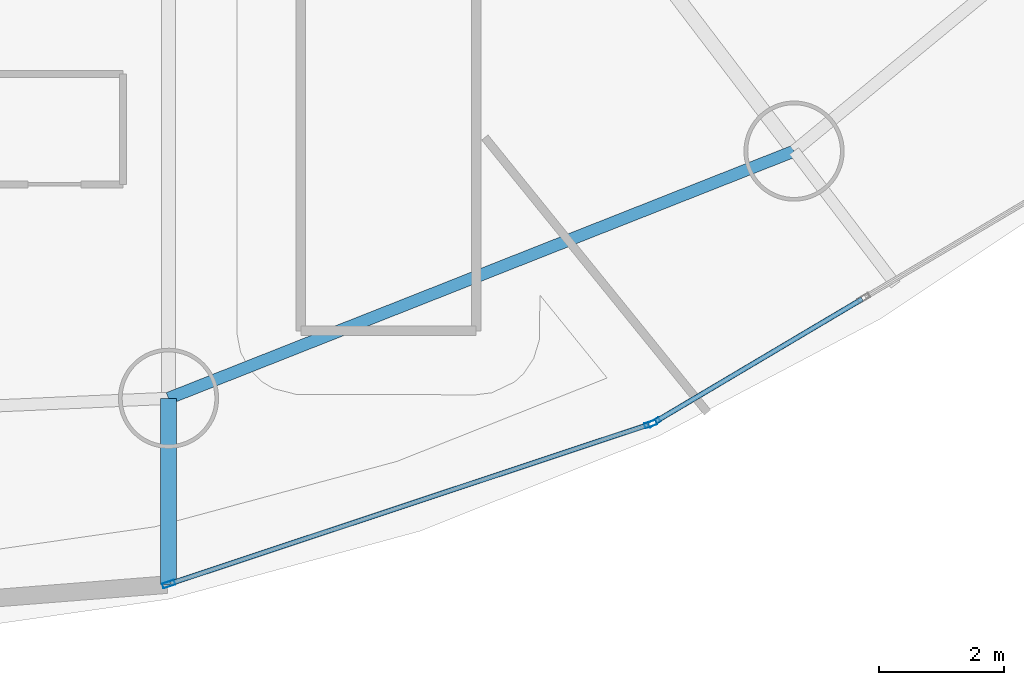
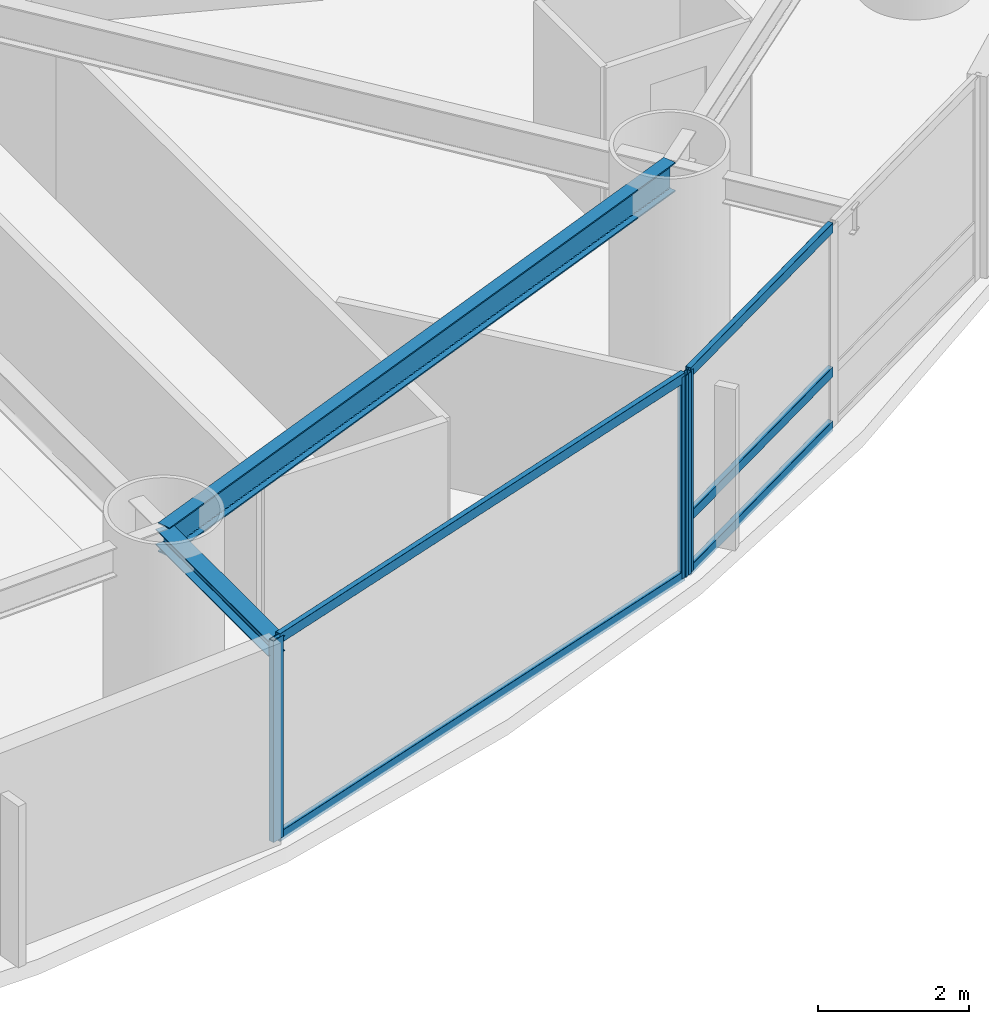
# One storey, part 6 of 25: 8 members, 2 beams, 2 elements without a shape of their own.
"""IFC4 building model written with IfcOpenShell, lengths in metres."""

from ifc_helpers import new_model, si_unit, direction, frame, origin, origin_2d, place, context, subcontext, project, spatial, hollow_rectangle, i_section, extrude, material, layer, layer_set, material_profile, profile_set, type_object, element, aggregate, save


model = new_model("IFC4")

# Units and contexts
model_context = context("Model", 3, precision=1e-05, world=origin(), true_north=direction((0.0, 1.0)))
body_context = subcontext(model_context, "Body", "Model", "MODEL_VIEW")
ifc_project = project(units=[si_unit("LENGTHUNIT", "METRE"), si_unit("AREAUNIT", "SQUARE_METRE"), si_unit("VOLUMEUNIT", "CUBIC_METRE"), si_unit("PLANEANGLEUNIT", "RADIAN"), si_unit("MASSUNIT", "GRAM", prefix="KILO")], contexts=[model_context])

# Site, building, storey
site_placement = place(None, origin())
site = spatial("IfcSite", under=ifc_project, at=site_placement, CompositionType="ELEMENT")
building_placement = place(site_placement, origin())
building = spatial("IfcBuilding", under=site, at=building_placement, Name="Bramvorn Convention Spire", CompositionType="ELEMENT")
storey_placement = place(building_placement, frame((0.0, 0.0, 48.39990234375)))
storey = spatial("IfcBuildingStorey", under=building, at=storey_placement, Name="L09", CompositionType="ELEMENT", Elevation=48.39990234375)

# Beams
ifc_material_1 = material(Name="Steel CSA G40.21 Grade 350 (350W)", Category="steel")
ifc_material_profile_1 = material_profile(ifc_material_1, i_section(OverallWidth=0.25390625, OverallDepth=0.2529296875, WebThickness=0.008544921875, FlangeThickness=0.01416015625, FilletRadius=0.011962890625, at=origin_2d()))
ifc_profile_set_1 = profile_set([ifc_material_profile_1], Name="Steel CSA G40.21 Grade 350 (350W) - W250X73")
beam_type_1 = type_object("IfcBeamType", Name="BM-W250X73", PredefinedType="BEAM", material=ifc_profile_set_1)
beam_1_placement = place(storey_placement, frame((46.23779296875, 5.42333984375, 3.108642578125), z_axis=(0.0, -1.0, 0.0), x_axis=(1.0, 0.0, 0.0)))
element("IfcBeam", 1, at=beam_1_placement, inside=storey, type_object=beam_type_1, Name="L09 slab-edge cantilever tip beam MC14", PredefinedType="BEAM", context=body_context, shape_type="SweptSolid", body=[
    extrude(i_section(OverallWidth=0.25390625, OverallDepth=0.2529296875, WebThickness=0.008544921875, FlangeThickness=0.01416015625, FilletRadius=0.011962890625, at=origin_2d()), origin(), (0.0, 0.0, 1.0), 2.97265625),
])
ifc_material_profile_2 = material_profile(ifc_material_1, i_section(OverallWidth=0.194091796875, OverallDepth=0.468994140625, WebThickness=0.0126953125, FlangeThickness=0.0205078125, FilletRadius=0.01806640625, at=origin_2d()))
ifc_profile_set_2 = profile_set([ifc_material_profile_2], Name="Steel CSA G40.21 Grade 350 (350W) - W460X106")
beam_type_2 = type_object("IfcBeamType", Name="BM-W460X106", PredefinedType="SPANDREL", material=ifc_profile_set_2)
beam_2_placement = place(storey_placement, frame((46.23779296875, 5.42333984375, 3.015625), z_axis=(0.93000950609, 0.367535465749, 0.0), x_axis=(-0.367535465749, 0.93000950609, 0.0)))
element("IfcBeam", 2, at=beam_2_placement, inside=storey, type_object=beam_type_2, Name="L09 mega-column ring beam 14", PredefinedType="SPANDREL", context=body_context, shape_type="SweptSolid", body=[
    extrude(i_section(OverallWidth=0.194091796875, OverallDepth=0.468994140625, WebThickness=0.0126953125, FlangeThickness=0.0205078125, FilletRadius=0.01806640625, at=origin_2d()), origin(), (0.0, 0.0, 1.0), 10.74169921875),
])

# Curtain wall, members
ifc_material_2 = material(Name="Anodised Bronze Unitised Curtain Wall", Category="aluminium")
ifc_layer = layer(ifc_material_2, 0.179931640625)
ifc_layer_set = layer_set([ifc_layer], Name="Anodised Bronze Unitised Curtain Wall - CW-HTL-FRIT")
curtain_wall_type = type_object("IfcCurtainWallType", Name="CW-HTL-FRIT", PredefinedType="USERDEFINED", material=ifc_layer_set)
curtain_wall_1_placement = place(storey_placement, origin())
curtain_wall_1 = element("IfcCurtainWall", 3, at=curtain_wall_1_placement, inside=storey, type_object=curtain_wall_type, Name="L09 fritted glass curtain wall 20", ObjectType="UNITISED CURTAIN WALL", PredefinedType="USERDEFINED")
ifc_material_3 = material(Name="Anodised Bronze Aluminium 6063-T6", Category="aluminium")
ifc_material_profile_3 = material_profile(ifc_material_3, hollow_rectangle(XDim=0.080078125, YDim=0.199951171875, WallThickness=0.00390625, InnerFilletRadius=0.0009765625, OuterFilletRadius=0.00390625, at=origin_2d()))
ifc_profile_set_3 = profile_set([ifc_material_profile_3], Name="Anodised Bronze Aluminium 6063-T6 - CWM80X200")
member_type_1 = type_object("IfcMemberType", Name="CW-MUL-180", PredefinedType="MULLION", material=ifc_profile_set_3)
member_1_placement = place(storey_placement, frame((53.938232421875, 5.013916015625, 0.0), z_axis=(0.0, 0.0, 1.0), x_axis=(0.315254629366, -0.949007122557, 0.0)))
member_1 = element("IfcMember", 4, at=member_1_placement, type_object=member_type_1, Name="CW2 mullion 1", PredefinedType="MULLION", context=body_context, shape_type="SweptSolid", body=[
    extrude(hollow_rectangle(XDim=0.080078125, YDim=0.199951171875, WallThickness=0.00390625, InnerFilletRadius=0.0009765625, OuterFilletRadius=0.00390625, at=origin_2d()), origin(), (0.0, 0.0, 1.0), 3.25),
])
member_2_placement = place(storey_placement, frame((46.240966796875, 2.456787109375, 0.0), z_axis=(0.0, 0.0, 1.0), x_axis=(0.315254629366, -0.949007122557, 0.0)))
member_2 = element("IfcMember", 5, at=member_2_placement, type_object=member_type_1, Name="CW2 mullion 2", PredefinedType="MULLION", context=body_context, shape_type="SweptSolid", body=[
    extrude(hollow_rectangle(XDim=0.080078125, YDim=0.199951171875, WallThickness=0.00390625, InnerFilletRadius=0.0009765625, OuterFilletRadius=0.00390625, at=origin_2d()), origin(), (0.0, 0.0, 1.0), 3.25),
])

# Curtain wall, member
curtain_wall_2_placement = place(storey_placement, origin())
curtain_wall_2 = element("IfcCurtainWall", 6, at=curtain_wall_2_placement, inside=storey, type_object=curtain_wall_type, Name="L09 fritted glass curtain wall 21", ObjectType="UNITISED CURTAIN WALL", PredefinedType="USERDEFINED")
member_3_placement = place(storey_placement, frame((53.99267578125, 5.03857421875, 0.0), z_axis=(0.0, 0.0, 1.0), x_axis=(0.510053598347, -0.860142620042, 0.0)))
member_3 = element("IfcMember", 7, at=member_3_placement, type_object=member_type_1, Name="CW2 mullion 3", PredefinedType="MULLION", context=body_context, shape_type="SweptSolid", body=[
    extrude(hollow_rectangle(XDim=0.080078125, YDim=0.199951171875, WallThickness=0.00390625, InnerFilletRadius=0.0009765625, OuterFilletRadius=0.00390625, at=origin_2d()), origin(), (0.0, 0.0, 1.0), 3.25),
])

# Member
ifc_material_profile_4 = material_profile(ifc_material_3, hollow_rectangle(XDim=0.080078125, YDim=0.159912109375, WallThickness=0.00390625, InnerFilletRadius=0.0009765625, OuterFilletRadius=0.00390625, at=origin_2d()))
ifc_profile_set_4 = profile_set([ifc_material_profile_4], Name="Anodised Bronze Aluminium 6063-T6 - CWT80X160")
member_type_2 = type_object("IfcMemberType", Name="CW-TRN-150", PredefinedType="USERDEFINED", material=ifc_profile_set_4)
member_4_placement = place(storey_placement, frame((53.909912109375, 5.00439453125, 0.030029296875), z_axis=(-0.9490072715, -0.315254181004, 0.0), x_axis=(0.315254181004, -0.9490072715, 0.0)))
member_4 = element("IfcMember", 8, at=member_4_placement, type_object=member_type_2, Name="CW2 transom 1.1", ObjectType="TRANSOM", PredefinedType="USERDEFINED", context=body_context, shape_type="SweptSolid", body=[
    extrude(hollow_rectangle(XDim=0.080078125, YDim=0.159912109375, WallThickness=0.00390625, InnerFilletRadius=0.0009765625, OuterFilletRadius=0.00390625, at=origin_2d()), origin(), (0.0, 0.0, 1.0), 8.051025390625),
])

member_5_placement = place(storey_placement, frame((53.909912109375, 5.00439453125, 3.22021484375), z_axis=(-0.9490072715, -0.315254181004, 0.0), x_axis=(0.315254181004, -0.9490072715, 0.0)))
member_5 = element("IfcMember", 9, at=member_5_placement, type_object=member_type_2, Name="CW2 transom 1.2", ObjectType="TRANSOM", PredefinedType="USERDEFINED", context=body_context, shape_type="SweptSolid", body=[
    extrude(hollow_rectangle(XDim=0.080078125, YDim=0.159912109375, WallThickness=0.00390625, InnerFilletRadius=0.0009765625, OuterFilletRadius=0.00390625, at=origin_2d()), origin(), (0.0, 0.0, 1.0), 8.051025390625),
])

aggregate(curtain_wall_1, [member_1, member_2, member_4, member_5])

member_6_placement = place(storey_placement, frame((57.31494140625, 7.008544921875, 0.030029296875), z_axis=(-0.860173547981, -0.510001438579, 0.0), x_axis=(0.510001438579, -0.860173547981, 0.0)))
member_6 = element("IfcMember", 10, at=member_6_placement, type_object=member_type_2, Name="CW2 transom 2.1", ObjectType="TRANSOM", PredefinedType="USERDEFINED", context=body_context, shape_type="SweptSolid", body=[
    extrude(hollow_rectangle(XDim=0.080078125, YDim=0.159912109375, WallThickness=0.00390625, InnerFilletRadius=0.0009765625, OuterFilletRadius=0.00390625, at=origin_2d()), origin(), (0.0, 0.0, 1.0), 3.83251953125),
])

member_7_placement = place(storey_placement, frame((57.31494140625, 7.008544921875, 0.900146484375), z_axis=(-0.860173547981, -0.510001438579, 0.0), x_axis=(0.510001438579, -0.860173547981, 0.0)))
member_7 = element("IfcMember", 11, at=member_7_placement, type_object=member_type_2, Name="CW2 transom 2.2", ObjectType="TRANSOM", PredefinedType="USERDEFINED", context=body_context, shape_type="SweptSolid", body=[
    extrude(hollow_rectangle(XDim=0.080078125, YDim=0.159912109375, WallThickness=0.00390625, InnerFilletRadius=0.0009765625, OuterFilletRadius=0.00390625, at=origin_2d()), origin(), (0.0, 0.0, 1.0), 3.83251953125),
])

member_8_placement = place(storey_placement, frame((57.31494140625, 7.008544921875, 3.22021484375), z_axis=(-0.860173547981, -0.510001438579, 0.0), x_axis=(0.510001438579, -0.860173547981, 0.0)))
member_8 = element("IfcMember", 12, at=member_8_placement, type_object=member_type_2, Name="CW2 transom 2.3", ObjectType="TRANSOM", PredefinedType="USERDEFINED", context=body_context, shape_type="SweptSolid", body=[
    extrude(hollow_rectangle(XDim=0.080078125, YDim=0.159912109375, WallThickness=0.00390625, InnerFilletRadius=0.0009765625, OuterFilletRadius=0.00390625, at=origin_2d()), origin(), (0.0, 0.0, 1.0), 3.83251953125),
])

aggregate(curtain_wall_2, [member_3, member_6, member_7, member_8])

save(model, "model.ifc")
